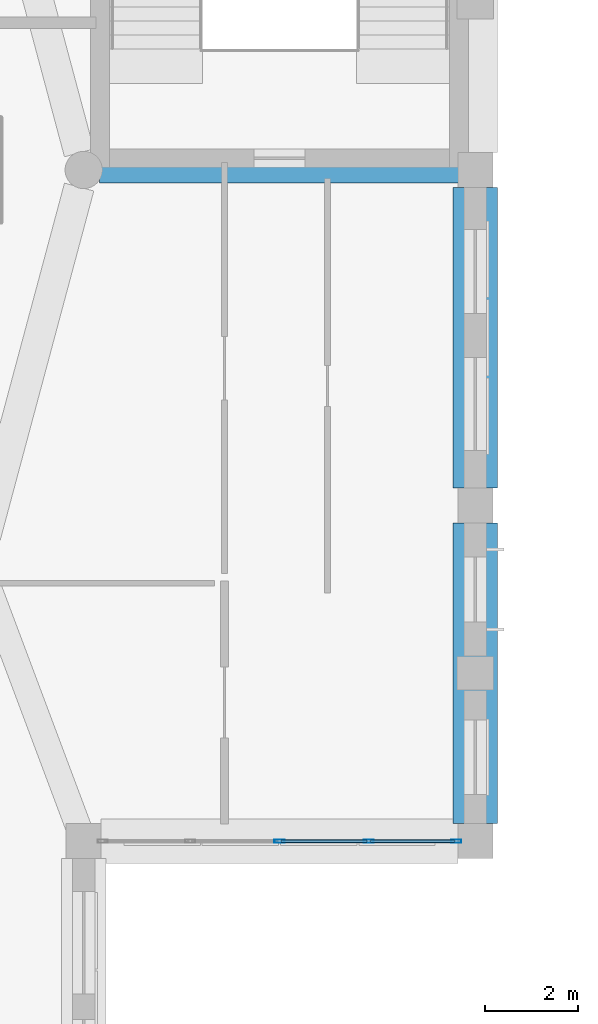
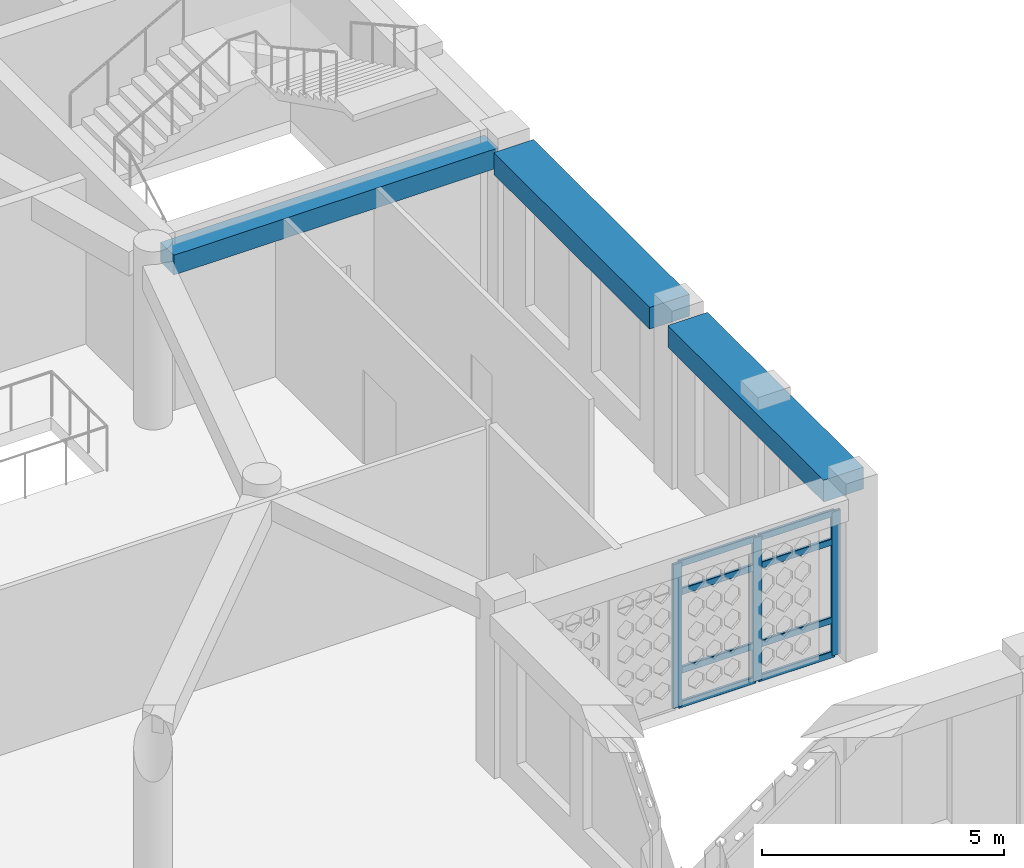
# One storey, part 36 of 121: 11 members, 3 beams, 1 element without a shape of its own.
"""IFC4 building model written with IfcOpenShell, lengths in metres."""

import ifcopenshell
import ifcopenshell.guid

model = None  # the IFC model being written
_history = None  # IfcOwnerHistory: only IFC2X3 demands one
_inside = {}  # id of a spatial element -> (the spatial element, [elements in it])
_under = {}  # id of a project, library or spatial element -> (it, [spatial elements below it])
_declared = {}  # id of a project -> (the project, [libraries it declares])
_typed = {}  # id of a type object -> (the type object, [elements of that type])
_made_of = {}  # id of a material, layer set ... -> (it, [elements and type objects made of it])


def new_model(schema):
    """Start an empty IFC model of exactly this schema.

    Asked for "IFC4X3", IfcOpenShell would pick the latest addendum, in which some entities
    have other attributes; the version numbers below select the first issue.
    IFC2X3 requires an IfcOwnerHistory on every rooted entity: one is made here for all.
    """
    global model, _history
    if schema == "IFC4X3":
        model = ifcopenshell.file(schema_version=(4, 3, 0, 0))
    else:
        model = ifcopenshell.file(schema=schema)
    _inside.clear()
    _under.clear()
    _declared.clear()
    _typed.clear()
    _made_of.clear()
    _history = None
    if model.schema == "IFC2X3":
        org = make("IfcOrganization", Name="unknown")
        user = make(
            "IfcPersonAndOrganization",
            ThePerson=make("IfcPerson", FamilyName="unknown"),
            TheOrganization=org,
        )
        app = make(
            "IfcApplication",
            ApplicationDeveloper=org,
            Version="unknown",
            ApplicationFullName="unknown",
            ApplicationIdentifier="unknown",
        )
        _history = make(
            "IfcOwnerHistory",
            OwningUser=user,
            OwningApplication=app,
            ChangeAction="ADDED",
            CreationDate=0,
        )
    return model


def make(cls, **values):
    """One entity of the class cls with the attributes given. An attribute that is None is left unset."""
    return model.create_entity(
        cls, **{name: value for name, value in values.items() if value is not None}
    )


def rooted(cls, **values):
    """An entity with a GlobalId (a new one), such as an element, a storey or a relation."""
    return make(cls, GlobalId=ifcopenshell.guid.new(), OwnerHistory=_history, **values)


def si_unit(unit_type, name, prefix=None):
    """IfcSIUnit, for example si_unit("LENGTHUNIT", "METRE", prefix="MILLI")."""
    return make("IfcSIUnit", UnitType=unit_type, Prefix=prefix, Name=name)


def derived_unit(unit_type, elements):
    """IfcDerivedUnit: a product of units, each with its exponent."""
    return make(
        "IfcDerivedUnit",
        Elements=[
            make("IfcDerivedUnitElement", Unit=unit, Exponent=power)
            for unit, power in elements
        ],
        UnitType=unit_type,
    )


def assignment(units):
    """IfcUnitAssignment: the units of a project."""
    return None if units is None else make("IfcUnitAssignment", Units=units)


def point(xyz):
    """IfcCartesianPoint."""
    return None if xyz is None else make("IfcCartesianPoint", Coordinates=xyz)


def direction(xyz):
    """IfcDirection."""
    return None if xyz is None else make("IfcDirection", DirectionRatios=xyz)


def frame(location, z_axis=None, x_axis=None):
    """IfcAxis2Placement3D, a coordinate frame: its origin and axes. An axis left out is left unset."""
    return make(
        "IfcAxis2Placement3D",
        Location=point(location),
        Axis=direction(z_axis),
        RefDirection=direction(x_axis),
    )


def frame_2d(location, x_axis=None):
    """IfcAxis2Placement2D, a coordinate frame in the plane: its origin and x axis."""
    return make(
        "IfcAxis2Placement2D", Location=point(location), RefDirection=direction(x_axis)
    )


def origin():
    """The frame at (0, 0, 0) with its axes left unset."""
    return frame((0.0, 0.0, 0.0))


def origin_2d():
    """The frame at (0, 0) in the plane with its x axis left unset."""
    return frame_2d((0.0, 0.0))


def place(relative_to, where):
    """IfcLocalPlacement: puts the frame where relative to a parent placement (None: the world)."""
    return make(
        "IfcLocalPlacement", PlacementRelTo=relative_to, RelativePlacement=where
    )


def context(
    kind, dimensions, precision=None, world=None, true_north=None, identifier=None
):
    """IfcGeometricRepresentationContext, for example the 3D "Model" context."""
    return make(
        "IfcGeometricRepresentationContext",
        ContextIdentifier=identifier,
        ContextType=kind,
        CoordinateSpaceDimension=dimensions,
        Precision=precision,
        WorldCoordinateSystem=world,
        TrueNorth=true_north,
    )


def subcontext(parent, identifier, kind, view, scale=None):
    """IfcGeometricRepresentationSubContext, for example "Body" below "Model"."""
    return make(
        "IfcGeometricRepresentationSubContext",
        ContextIdentifier=identifier,
        ContextType=kind,
        ParentContext=parent,
        TargetScale=scale,
        TargetView=view,
    )


def project(units=None, contexts=None):
    """IfcProject with its units and contexts."""
    return rooted(
        "IfcProject",
        Name="project",
        RepresentationContexts=contexts,
        UnitsInContext=assignment(units),
    )


def spatial(cls, under=None, at=None, **own):
    """A site, building, storey or space (cls), placed at a placement, below another one or the project."""
    s = rooted(cls, ObjectPlacement=at, **own)
    if under is not None:
        _under.setdefault(under.id(), (under, []))[1].append(s)
    return s


def profile(cls, at=None, kind="AREA", **sizes):
    """A parametric profile (cls). Its sizes go by their IFC names, for example OverallWidth=200.0."""
    return make(cls, ProfileType=kind, Position=at, **sizes)


def rectangle(**sizes):
    """IfcRectangleProfileDef."""
    return profile("IfcRectangleProfileDef", **sizes)


def hollow_rectangle(**sizes):
    """IfcRectangleHollowProfileDef."""
    return profile("IfcRectangleHollowProfileDef", **sizes)


def extrude(swept, where, along, depth):
    """IfcExtrudedAreaSolid: the profile swept, set in the frame where, extruded along a direction by depth."""
    return make(
        "IfcExtrudedAreaSolid",
        SweptArea=swept,
        Position=where,
        ExtrudedDirection=direction(along),
        Depth=depth,
    )


def shape(context_of_items, identifier, shape_type, items):
    """IfcShapeRepresentation: the items that make up one representation, for example the "Body"."""
    return make(
        "IfcShapeRepresentation",
        ContextOfItems=context_of_items,
        RepresentationIdentifier=identifier,
        RepresentationType=shape_type,
        Items=items,
    )


def material(Name=None, Category=None):
    """IfcMaterial."""
    return make("IfcMaterial", Name=Name, Category=Category)


def material_profile(
    of_material, cross_section, Name=None, Category=None, Priority=None
):
    """IfcMaterialProfile: a cross section and its material."""
    return make(
        "IfcMaterialProfile",
        Name=Name,
        Material=of_material,
        Profile=cross_section,
        Priority=Priority,
        Category=Category,
    )


def profile_set(profiles, Name=None, composite=None):
    """IfcMaterialProfileSet."""
    return make(
        "IfcMaterialProfileSet",
        Name=Name,
        MaterialProfiles=profiles,
        CompositeProfile=composite,
    )


def made_of(thing, what):
    """Note that an element or type object is made of a material, layer set ...; save() writes the relation."""
    if what is not None:
        _made_of.setdefault(what.id(), (what, []))[1].append(thing)
    return thing


def type_object(cls, material=None, **own):
    """A type object (cls), such as IfcWallType, which elements share."""
    return made_of(rooted(cls, **own), material)


def element(
    cls,
    number,
    at=None,
    inside=None,
    cuts=None,
    type_object=None,
    material=None,
    context=None,
    identifier="Body",
    shape_type=None,
    held_by="IfcProductDefinitionShape",
    body=None,
    shapes=None,
    **own,
):
    """One element of the class cls, such as IfcWall. Its Tag is "e" and its number.

    at: its placement. inside: the storey or other place that contains it. cuts: it is an
    opening in that element (IfcRelVoidsElement). A single representation is given by context,
    identifier, shape_type and body (its items); several are given by shapes. held_by: the class
    of the entity that holds the representations. save() writes the other relations.
    """
    e = rooted(cls, Tag="e%d" % number, ObjectPlacement=at, **own)
    if body is not None:
        shapes = [shape(context, identifier, shape_type, body)]
    if shapes is not None:
        e.Representation = make(held_by, Representations=shapes)
    if inside is not None:
        _inside.setdefault(inside.id(), (inside, []))[1].append(e)
    if cuts is not None:
        rooted(
            "IfcRelVoidsElement", RelatingBuildingElement=cuts, RelatedOpeningElement=e
        )
    if type_object is not None:
        _typed.setdefault(type_object.id(), (type_object, []))[1].append(e)
    return made_of(e, material)


def aggregate(whole, parts):
    """IfcRelAggregates: a whole, such as a stair, and the parts it consists of."""
    return rooted("IfcRelAggregates", RelatingObject=whole, RelatedObjects=parts)


def save(model, path):
    """Write the relations noted so far, then the file.

    IfcRelAggregates (storeys below a building ...), IfcRelContainedInSpatialStructure (elements
    in a storey), IfcRelDefinesByType, IfcRelAssociatesMaterial and IfcRelDeclares: one each for
    every whole, place, type object, material and project.
    """
    for whole, parts in _under.values():
        aggregate(whole, parts)
    for where, things in _inside.values():
        rooted(
            "IfcRelContainedInSpatialStructure",
            RelatedElements=things,
            RelatingStructure=where,
        )
    for kind, things in _typed.values():
        rooted("IfcRelDefinesByType", RelatedObjects=things, RelatingType=kind)
    for what, things in _made_of.values():
        rooted("IfcRelAssociatesMaterial", RelatedObjects=things, RelatingMaterial=what)
    for by, libraries in _declared.values():
        rooted("IfcRelDeclares", RelatingContext=by, RelatedDefinitions=libraries)
    model.write(path)


model = new_model("IFC4")

# Units and contexts
model_context = context("Model", 3, precision=1e-05, world=origin(), true_north=direction((0.0, 1.0)))
body_context = subcontext(model_context, "Body", "Model", "MODEL_VIEW")
ifc_project = project(units=[si_unit("LENGTHUNIT", "METRE"), si_unit("AREAUNIT", "SQUARE_METRE"), si_unit("VOLUMEUNIT", "CUBIC_METRE"), si_unit("PLANEANGLEUNIT", "RADIAN"), si_unit("MASSUNIT", "GRAM", prefix="KILO"), derived_unit("THERMALTRANSMITTANCEUNIT", [(si_unit("POWERUNIT", "WATT"), 1), (si_unit("LENGTHUNIT", "METRE"), -2), (si_unit("THERMODYNAMICTEMPERATUREUNIT", "KELVIN"), -1)])], contexts=[model_context])

# Site, building, storey
site_placement = place(None, origin())
site = spatial("IfcSite", under=ifc_project, at=site_placement, CompositionType="ELEMENT")
building_placement = place(site_placement, origin())
building = spatial("IfcBuilding", under=site, at=building_placement, Name="Veybourne Emporium", CompositionType="ELEMENT")
storey_placement = place(building_placement, frame((0.0, 0.0, 5.39990234375)))
storey = spatial("IfcBuildingStorey", under=building, at=storey_placement, Name="L01", CompositionType="ELEMENT", Elevation=5.39990234375)

# Curtain wall, members
ifc_material_1 = material(Name="Patinated Architectural Bronze", Category="bronze")
curtain_wall_type = type_object("IfcCurtainWallType", Name="CWSystem_CWS-20", PredefinedType="NOTDEFINED", material=ifc_material_1)
curtain_wall_placement = place(storey_placement, origin())
curtain_wall = element("IfcCurtainWall", 1, at=curtain_wall_placement, inside=storey, type_object=curtain_wall_type, Name="L01 bronze glazed curtain wall CWS-20 (048)", PredefinedType="NOTDEFINED")
ifc_material_profile_1 = material_profile(ifc_material_1, hollow_rectangle(XDim=0.070068359375, YDim=0.219970703125, WallThickness=0.0048828125, InnerFilletRadius=0.007568359375, OuterFilletRadius=0.012451171875, at=origin_2d()), Name="CWM 70x220x5")
ifc_profile_set_1 = profile_set([ifc_material_profile_1], Name="Patinated Architectural Bronze")
member_type_1 = type_object("IfcMemberType", Name="CWMullion_CW-M4", PredefinedType="MULLION", material=ifc_profile_set_1)
member_1_placement = place(storey_placement, frame((100.389892578125, 36.0, 0.0), z_axis=(0.0, 0.0, 1.0), x_axis=(0.0, -1.0, 0.0)))
member_1 = element("IfcMember", 2, at=member_1_placement, type_object=member_type_1, Name="CWS-20 mullion 1", PredefinedType="MULLION", context=body_context, shape_type="SweptSolid", body=[
    extrude(hollow_rectangle(XDim=0.070068359375, YDim=0.219970703125, WallThickness=0.0048828125, InnerFilletRadius=0.007568359375, OuterFilletRadius=0.012451171875, at=origin_2d()), origin(), (0.0, 0.0, 1.0), 3.630126953125),
])
member_2_placement = place(storey_placement, frame((98.512451171875, 36.0, 0.0), z_axis=(0.0, 0.0, 1.0), x_axis=(0.0, -1.0, 0.0)))
member_2 = element("IfcMember", 3, at=member_2_placement, type_object=member_type_1, Name="CWS-20 mullion 2", PredefinedType="MULLION", context=body_context, shape_type="SweptSolid", body=[
    extrude(hollow_rectangle(XDim=0.070068359375, YDim=0.219970703125, WallThickness=0.0048828125, InnerFilletRadius=0.007568359375, OuterFilletRadius=0.012451171875, at=origin_2d()), origin(), (0.0, 0.0, 1.0), 3.630126953125),
])
member_3_placement = place(storey_placement, frame((96.60009765625, 36.0, 0.0), z_axis=(0.0, 0.0, 1.0), x_axis=(0.0, -1.0, 0.0)))
member_3 = element("IfcMember", 4, at=member_3_placement, type_object=member_type_1, Name="CWS-20 mullion 3", PredefinedType="MULLION", context=body_context, shape_type="SweptSolid", body=[
    extrude(hollow_rectangle(XDim=0.070068359375, YDim=0.219970703125, WallThickness=0.0048828125, InnerFilletRadius=0.007568359375, OuterFilletRadius=0.012451171875, at=origin_2d()), origin(), (0.0, 0.0, 1.0), 3.630126953125),
])
ifc_material_profile_2 = material_profile(ifc_material_1, hollow_rectangle(XDim=0.070068359375, YDim=0.169921875, WallThickness=0.0048828125, InnerFilletRadius=0.007568359375, OuterFilletRadius=0.012451171875, at=origin_2d()), Name="CWT 70x170x5")
ifc_profile_set_2 = profile_set([ifc_material_profile_2], Name="Patinated Architectural Bronze")
member_type_2 = type_object("IfcMemberType", Name="CWTransom_CW-T4", PredefinedType="NOTDEFINED", material=ifc_profile_set_2)
member_4_placement = place(storey_placement, frame((100.35498046875, 36.0, 0.03515625), z_axis=(-1.0, 0.0, 0.0), x_axis=(0.0, -1.0, 0.0)))
member_4 = element("IfcMember", 5, at=member_4_placement, type_object=member_type_2, Name="CWS-20 transom 1.1", ObjectType="TRANSOM", PredefinedType="USERDEFINED", context=body_context, shape_type="SweptSolid", body=[
    extrude(hollow_rectangle(XDim=0.070068359375, YDim=0.169921875, WallThickness=0.0048828125, InnerFilletRadius=0.007568359375, OuterFilletRadius=0.012451171875, at=origin_2d()), origin(), (0.0, 0.0, 1.0), 1.807373046875),
])
member_5_placement = place(storey_placement, frame((100.35498046875, 36.0, 0.900146484375), z_axis=(-1.0, 0.0, 0.0), x_axis=(0.0, -1.0, 0.0)))
member_5 = element("IfcMember", 6, at=member_5_placement, type_object=member_type_2, Name="CWS-20 transom 1.2", ObjectType="TRANSOM", PredefinedType="USERDEFINED", context=body_context, shape_type="SweptSolid", body=[
    extrude(hollow_rectangle(XDim=0.070068359375, YDim=0.169921875, WallThickness=0.0048828125, InnerFilletRadius=0.007568359375, OuterFilletRadius=0.012451171875, at=origin_2d()), origin(), (0.0, 0.0, 1.0), 1.807373046875),
])
member_6_placement = place(storey_placement, frame((100.35498046875, 36.0, 2.880126953125), z_axis=(-1.0, 0.0, 0.0), x_axis=(0.0, -1.0, 0.0)))
member_6 = element("IfcMember", 7, at=member_6_placement, type_object=member_type_2, Name="CWS-20 transom 1.3", ObjectType="TRANSOM", PredefinedType="USERDEFINED", context=body_context, shape_type="SweptSolid", body=[
    extrude(hollow_rectangle(XDim=0.070068359375, YDim=0.169921875, WallThickness=0.0048828125, InnerFilletRadius=0.007568359375, OuterFilletRadius=0.012451171875, at=origin_2d()), origin(), (0.0, 0.0, 1.0), 1.807373046875),
])
member_7_placement = place(storey_placement, frame((100.35498046875, 36.0, 3.59521484375), z_axis=(-1.0, 0.0, 0.0), x_axis=(0.0, -1.0, 0.0)))
member_7 = element("IfcMember", 8, at=member_7_placement, type_object=member_type_2, Name="CWS-20 transom 1.4", ObjectType="TRANSOM", PredefinedType="USERDEFINED", context=body_context, shape_type="SweptSolid", body=[
    extrude(hollow_rectangle(XDim=0.070068359375, YDim=0.169921875, WallThickness=0.0048828125, InnerFilletRadius=0.007568359375, OuterFilletRadius=0.012451171875, at=origin_2d()), origin(), (0.0, 0.0, 1.0), 1.807373046875),
])
member_8_placement = place(storey_placement, frame((98.4775390625, 36.0, 0.03515625), z_axis=(-1.0, 0.0, 0.0), x_axis=(0.0, -1.0, 0.0)))
member_8 = element("IfcMember", 9, at=member_8_placement, type_object=member_type_2, Name="CWS-20 transom 2.1", ObjectType="TRANSOM", PredefinedType="USERDEFINED", context=body_context, shape_type="SweptSolid", body=[
    extrude(hollow_rectangle(XDim=0.070068359375, YDim=0.169921875, WallThickness=0.0048828125, InnerFilletRadius=0.007568359375, OuterFilletRadius=0.012451171875, at=origin_2d()), origin(), (0.0, 0.0, 1.0), 1.842529296875),
])
member_9_placement = place(storey_placement, frame((98.4775390625, 36.0, 0.900146484375), z_axis=(-1.0, 0.0, 0.0), x_axis=(0.0, -1.0, 0.0)))
member_9 = element("IfcMember", 10, at=member_9_placement, type_object=member_type_2, Name="CWS-20 transom 2.2", ObjectType="TRANSOM", PredefinedType="USERDEFINED", context=body_context, shape_type="SweptSolid", body=[
    extrude(hollow_rectangle(XDim=0.070068359375, YDim=0.169921875, WallThickness=0.0048828125, InnerFilletRadius=0.007568359375, OuterFilletRadius=0.012451171875, at=origin_2d()), origin(), (0.0, 0.0, 1.0), 1.842529296875),
])
member_10_placement = place(storey_placement, frame((98.4775390625, 36.0, 2.880126953125), z_axis=(-1.0, 0.0, 0.0), x_axis=(0.0, -1.0, 0.0)))
member_10 = element("IfcMember", 11, at=member_10_placement, type_object=member_type_2, Name="CWS-20 transom 2.3", ObjectType="TRANSOM", PredefinedType="USERDEFINED", context=body_context, shape_type="SweptSolid", body=[
    extrude(hollow_rectangle(XDim=0.070068359375, YDim=0.169921875, WallThickness=0.0048828125, InnerFilletRadius=0.007568359375, OuterFilletRadius=0.012451171875, at=origin_2d()), origin(), (0.0, 0.0, 1.0), 1.842529296875),
])
member_11_placement = place(storey_placement, frame((98.4775390625, 36.0, 3.59521484375), z_axis=(-1.0, 0.0, 0.0), x_axis=(0.0, -1.0, 0.0)))
member_11 = element("IfcMember", 12, at=member_11_placement, type_object=member_type_2, Name="CWS-20 transom 2.4", ObjectType="TRANSOM", PredefinedType="USERDEFINED", context=body_context, shape_type="SweptSolid", body=[
    extrude(hollow_rectangle(XDim=0.070068359375, YDim=0.169921875, WallThickness=0.0048828125, InnerFilletRadius=0.007568359375, OuterFilletRadius=0.012451171875, at=origin_2d()), origin(), (0.0, 0.0, 1.0), 1.842529296875),
])
aggregate(curtain_wall, [member_1, member_2, member_3, member_4, member_5, member_6, member_7, member_8, member_9, member_10, member_11])

# Beams
ifc_material_2 = material(Name="Concrete C32/40", Category="concrete")
ifc_material_profile_3 = material_profile(ifc_material_2, rectangle(XDim=0.949951171875, YDim=0.550048828125, at=origin_2d()), Name="RC 950x550")
ifc_profile_set_3 = profile_set([ifc_material_profile_3], Name="Concrete C32/40")
beam_type_1 = type_object("IfcBeamType", Name="RCBeam_EB-01", PredefinedType="SPANDREL", material=ifc_profile_set_3)
for number, where, z_axis, x_axis, name in (
    (13, (100.800048828125, 36.375, 3.905029296875), (0.0, 1.0, 0.0), (-1.0, 0.0, 0.0), "L01 Y-grid beam EB-01 (12,5)"),
    (14, (100.800048828125, 43.574951171875, 3.905029296875), (0.0, 1.0, 0.0), (-1.0, 0.0, 0.0), "L01 Y-grid beam EB-01 (12,6)"),
):
    element("IfcBeam", number, at=place(storey_placement, frame(where, z_axis=z_axis, x_axis=x_axis)), inside=storey, type_object=beam_type_1, Name=name, PredefinedType="SPANDREL", context=body_context, shape_type="SweptSolid", body=[
        extrude(rectangle(XDim=0.949951171875, YDim=0.550048828125, at=origin_2d()), origin(), (0.0, 0.0, 1.0), 6.449951171875),
    ])
ifc_material_profile_4 = material_profile(ifc_material_2, rectangle(XDim=0.550048828125, YDim=0.5, at=origin_2d()), Name="RC 550x500")
ifc_profile_set_4 = profile_set([ifc_material_profile_4], Name="Concrete C32/40")
beam_type_2 = type_object("IfcBeamType", Name="RCBeam_TB-01", PredefinedType="BEAM", material=ifc_profile_set_4)
beam_placement = place(storey_placement, frame((92.739990234375, 50.39990234375, 3.93017578125), z_axis=(1.0, 0.0, 0.0), x_axis=(0.0, 1.0, 0.0)))
element("IfcBeam", 15, at=beam_placement, inside=storey, type_object=beam_type_2, Name="Atrium radial tie beam L01-01", PredefinedType="BEAM", context=body_context, shape_type="SweptSolid", body=[
    extrude(rectangle(XDim=0.550048828125, YDim=0.5, at=origin_2d()), origin(), (0.0, 0.0, 1.0), 7.7451171875),
])

save(model, "model.ifc")
